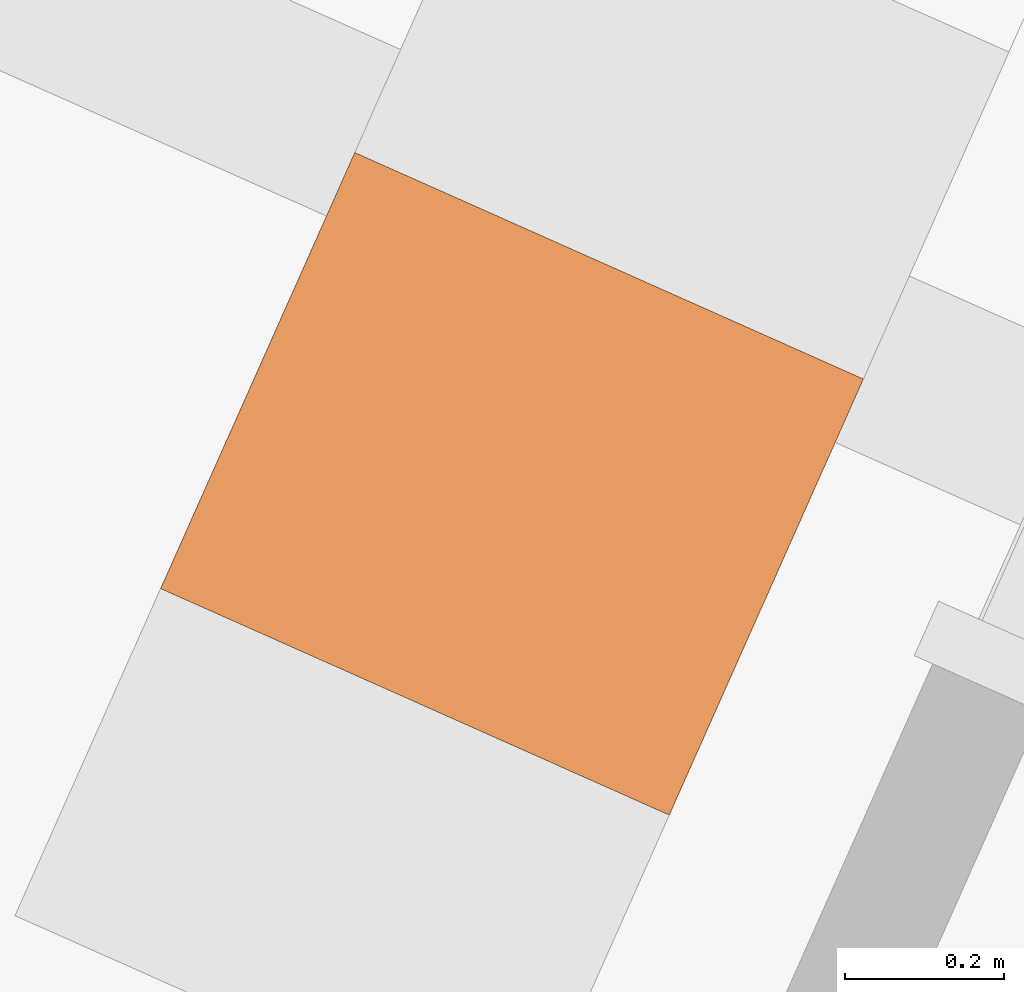
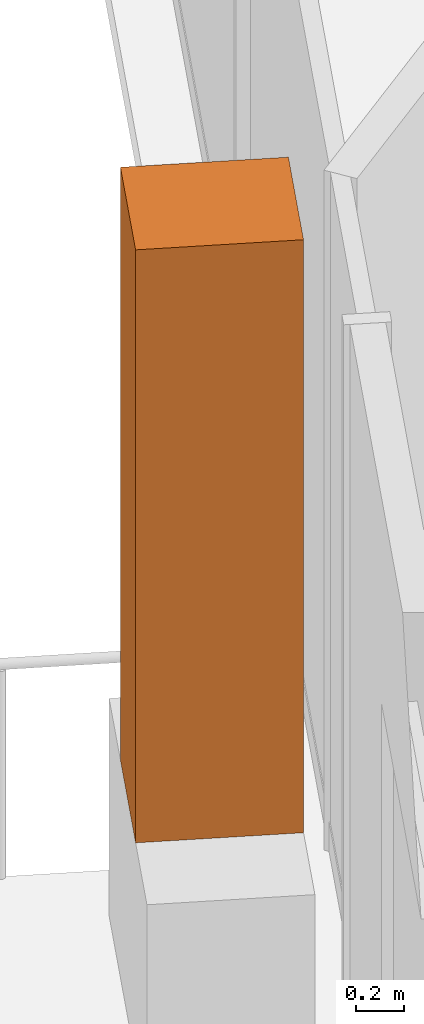
# One storey, part 20 of 20: 1 geographic element.
"""IFC4 building model written with IfcOpenShell, lengths in metres."""

import ifcopenshell
import ifcopenshell.guid

model = None  # the IFC model being written
_history = None  # IfcOwnerHistory: only IFC2X3 demands one
_inside = {}  # id of a spatial element -> (the spatial element, [elements in it])
_under = {}  # id of a project, library or spatial element -> (it, [spatial elements below it])
_declared = {}  # id of a project -> (the project, [libraries it declares])
_typed = {}  # id of a type object -> (the type object, [elements of that type])
_made_of = {}  # id of a material, layer set ... -> (it, [elements and type objects made of it])


def new_model(schema):
    """Start an empty IFC model of exactly this schema.

    Asked for "IFC4X3", IfcOpenShell would pick the latest addendum, in which some entities
    have other attributes; the version numbers below select the first issue.
    IFC2X3 requires an IfcOwnerHistory on every rooted entity: one is made here for all.
    """
    global model, _history
    if schema == "IFC4X3":
        model = ifcopenshell.file(schema_version=(4, 3, 0, 0))
    else:
        model = ifcopenshell.file(schema=schema)
    _inside.clear()
    _under.clear()
    _declared.clear()
    _typed.clear()
    _made_of.clear()
    _history = None
    if model.schema == "IFC2X3":
        org = make("IfcOrganization", Name="unknown")
        user = make(
            "IfcPersonAndOrganization",
            ThePerson=make("IfcPerson", FamilyName="unknown"),
            TheOrganization=org,
        )
        app = make(
            "IfcApplication",
            ApplicationDeveloper=org,
            Version="unknown",
            ApplicationFullName="unknown",
            ApplicationIdentifier="unknown",
        )
        _history = make(
            "IfcOwnerHistory",
            OwningUser=user,
            OwningApplication=app,
            ChangeAction="ADDED",
            CreationDate=0,
        )
    return model


def make(cls, **values):
    """One entity of the class cls with the attributes given. An attribute that is None is left unset."""
    return model.create_entity(
        cls, **{name: value for name, value in values.items() if value is not None}
    )


def rooted(cls, **values):
    """An entity with a GlobalId (a new one), such as an element, a storey or a relation."""
    return make(cls, GlobalId=ifcopenshell.guid.new(), OwnerHistory=_history, **values)


def si_unit(unit_type, name, prefix=None):
    """IfcSIUnit, for example si_unit("LENGTHUNIT", "METRE", prefix="MILLI")."""
    return make("IfcSIUnit", UnitType=unit_type, Prefix=prefix, Name=name)


def assignment(units):
    """IfcUnitAssignment: the units of a project."""
    return None if units is None else make("IfcUnitAssignment", Units=units)


def point(xyz):
    """IfcCartesianPoint."""
    return None if xyz is None else make("IfcCartesianPoint", Coordinates=xyz)


def direction(xyz):
    """IfcDirection."""
    return None if xyz is None else make("IfcDirection", DirectionRatios=xyz)


def frame(location, z_axis=None, x_axis=None):
    """IfcAxis2Placement3D, a coordinate frame: its origin and axes. An axis left out is left unset."""
    return make(
        "IfcAxis2Placement3D",
        Location=point(location),
        Axis=direction(z_axis),
        RefDirection=direction(x_axis),
    )


def frame_2d(location, x_axis=None):
    """IfcAxis2Placement2D, a coordinate frame in the plane: its origin and x axis."""
    return make(
        "IfcAxis2Placement2D", Location=point(location), RefDirection=direction(x_axis)
    )


def origin():
    """The frame at (0, 0, 0) with its axes left unset."""
    return frame((0.0, 0.0, 0.0))


def origin_2d():
    """The frame at (0, 0) in the plane with its x axis left unset."""
    return frame_2d((0.0, 0.0))


def place(relative_to, where):
    """IfcLocalPlacement: puts the frame where relative to a parent placement (None: the world)."""
    return make(
        "IfcLocalPlacement", PlacementRelTo=relative_to, RelativePlacement=where
    )


def context(
    kind, dimensions, precision=None, world=None, true_north=None, identifier=None
):
    """IfcGeometricRepresentationContext, for example the 3D "Model" context."""
    return make(
        "IfcGeometricRepresentationContext",
        ContextIdentifier=identifier,
        ContextType=kind,
        CoordinateSpaceDimension=dimensions,
        Precision=precision,
        WorldCoordinateSystem=world,
        TrueNorth=true_north,
    )


def subcontext(parent, identifier, kind, view, scale=None):
    """IfcGeometricRepresentationSubContext, for example "Body" below "Model"."""
    return make(
        "IfcGeometricRepresentationSubContext",
        ContextIdentifier=identifier,
        ContextType=kind,
        ParentContext=parent,
        TargetScale=scale,
        TargetView=view,
    )


def project(units=None, contexts=None):
    """IfcProject with its units and contexts."""
    return rooted(
        "IfcProject",
        Name="project",
        RepresentationContexts=contexts,
        UnitsInContext=assignment(units),
    )


def spatial(cls, under=None, at=None, **own):
    """A site, building, storey or space (cls), placed at a placement, below another one or the project."""
    s = rooted(cls, ObjectPlacement=at, **own)
    if under is not None:
        _under.setdefault(under.id(), (under, []))[1].append(s)
    return s


def profile(cls, at=None, kind="AREA", **sizes):
    """A parametric profile (cls). Its sizes go by their IFC names, for example OverallWidth=200.0."""
    return make(cls, ProfileType=kind, Position=at, **sizes)


def rectangle(**sizes):
    """IfcRectangleProfileDef."""
    return profile("IfcRectangleProfileDef", **sizes)


def extrude(swept, where, along, depth):
    """IfcExtrudedAreaSolid: the profile swept, set in the frame where, extruded along a direction by depth."""
    return make(
        "IfcExtrudedAreaSolid",
        SweptArea=swept,
        Position=where,
        ExtrudedDirection=direction(along),
        Depth=depth,
    )


def shape(context_of_items, identifier, shape_type, items):
    """IfcShapeRepresentation: the items that make up one representation, for example the "Body"."""
    return make(
        "IfcShapeRepresentation",
        ContextOfItems=context_of_items,
        RepresentationIdentifier=identifier,
        RepresentationType=shape_type,
        Items=items,
    )


def source(mapping_origin, context_of_items, identifier, shape_type, items):
    """IfcRepresentationMap: a shape defined once, which mapped items show again and again."""
    return make(
        "IfcRepresentationMap",
        MappingOrigin=mapping_origin,
        MappedRepresentation=shape(context_of_items, identifier, shape_type, items),
    )


def transform(
    local_origin,
    x_axis=None,
    y_axis=None,
    z_axis=None,
    scale=None,
    scale2=None,
    scale3=None,
    uniform=True,
):
    """IfcCartesianTransformationOperator3D, or its non-uniform kind. x_axis, y_axis, z_axis: its Axis1, 2, 3."""
    if uniform:
        return make(
            "IfcCartesianTransformationOperator3D",
            Axis1=direction(x_axis),
            Axis2=direction(y_axis),
            LocalOrigin=point(local_origin),
            Scale=scale,
            Axis3=direction(z_axis),
        )
    return make(
        "IfcCartesianTransformationOperator3DnonUniform",
        Axis1=direction(x_axis),
        Axis2=direction(y_axis),
        LocalOrigin=point(local_origin),
        Scale=scale,
        Axis3=direction(z_axis),
        Scale2=scale2,
        Scale3=scale3,
    )


def mapped(mapping_source, mapping_target):
    """IfcMappedItem: shows the shape of a source again, moved by a transform."""
    return make(
        "IfcMappedItem", MappingSource=mapping_source, MappingTarget=mapping_target
    )


def material(Name=None, Category=None):
    """IfcMaterial."""
    return make("IfcMaterial", Name=Name, Category=Category)


def made_of(thing, what):
    """Note that an element or type object is made of a material, layer set ...; save() writes the relation."""
    if what is not None:
        _made_of.setdefault(what.id(), (what, []))[1].append(thing)
    return thing


def type_object(cls, material=None, **own):
    """A type object (cls), such as IfcWallType, which elements share."""
    return made_of(rooted(cls, **own), material)


def element(
    cls,
    number,
    at=None,
    inside=None,
    cuts=None,
    type_object=None,
    material=None,
    context=None,
    identifier="Body",
    shape_type=None,
    held_by="IfcProductDefinitionShape",
    body=None,
    shapes=None,
    **own,
):
    """One element of the class cls, such as IfcWall. Its Tag is "e" and its number.

    at: its placement. inside: the storey or other place that contains it. cuts: it is an
    opening in that element (IfcRelVoidsElement). A single representation is given by context,
    identifier, shape_type and body (its items); several are given by shapes. held_by: the class
    of the entity that holds the representations. save() writes the other relations.
    """
    e = rooted(cls, Tag="e%d" % number, ObjectPlacement=at, **own)
    if body is not None:
        shapes = [shape(context, identifier, shape_type, body)]
    if shapes is not None:
        e.Representation = make(held_by, Representations=shapes)
    if inside is not None:
        _inside.setdefault(inside.id(), (inside, []))[1].append(e)
    if cuts is not None:
        rooted(
            "IfcRelVoidsElement", RelatingBuildingElement=cuts, RelatedOpeningElement=e
        )
    if type_object is not None:
        _typed.setdefault(type_object.id(), (type_object, []))[1].append(e)
    return made_of(e, material)


def aggregate(whole, parts):
    """IfcRelAggregates: a whole, such as a stair, and the parts it consists of."""
    return rooted("IfcRelAggregates", RelatingObject=whole, RelatedObjects=parts)


def save(model, path):
    """Write the relations noted so far, then the file.

    IfcRelAggregates (storeys below a building ...), IfcRelContainedInSpatialStructure (elements
    in a storey), IfcRelDefinesByType, IfcRelAssociatesMaterial and IfcRelDeclares: one each for
    every whole, place, type object, material and project.
    """
    for whole, parts in _under.values():
        aggregate(whole, parts)
    for where, things in _inside.values():
        rooted(
            "IfcRelContainedInSpatialStructure",
            RelatedElements=things,
            RelatingStructure=where,
        )
    for kind, things in _typed.values():
        rooted("IfcRelDefinesByType", RelatedObjects=things, RelatingType=kind)
    for what, things in _made_of.values():
        rooted("IfcRelAssociatesMaterial", RelatedObjects=things, RelatingMaterial=what)
    for by, libraries in _declared.values():
        rooted("IfcRelDeclares", RelatingContext=by, RelatedDefinitions=libraries)
    model.write(path)


model = new_model("IFC4")

# Units and contexts
model_context = context("Model", 3, precision=1e-05, world=origin(), true_north=direction((0.0, 1.0)))
body_context = subcontext(model_context, "Body", "Model", "MODEL_VIEW")
ifc_project = project(units=[si_unit("LENGTHUNIT", "METRE"), si_unit("AREAUNIT", "SQUARE_METRE"), si_unit("VOLUMEUNIT", "CUBIC_METRE"), si_unit("PLANEANGLEUNIT", "RADIAN"), si_unit("MASSUNIT", "GRAM", prefix="KILO")], contexts=[model_context])

# Site, building, storey
site_placement = place(None, origin())
site = spatial("IfcSite", under=ifc_project, at=site_placement, CompositionType="ELEMENT")
building_placement = place(site_placement, origin())
building = spatial("IfcBuilding", under=site, at=building_placement, Name="Triune Harvest Tower", CompositionType="ELEMENT")
storey_placement = place(building_placement, frame((0.0, 0.0, 234.10009765625)))
storey = spatial("IfcBuildingStorey", under=building, at=storey_placement, Name="L61", CompositionType="ELEMENT", Elevation=234.10009765625)

# Geographic element
ifc_material = material(Name="TREE-1 tree")
geographic_element_type = type_object("IfcGeographicElementType", Name="TREE-1 tree", PredefinedType="USERDEFINED", material=ifc_material)
shared_shape = source(origin(), body_context, "Body", "SweptSolid", [
    extrude(rectangle(XDim=0.60009765625, YDim=0.699951171875, at=origin_2d()), origin(), (0.0, 0.0, 1.0), 3.0),
])
geographic_element_placement = place(storey_placement, frame((-23.26025390625, -1.465087890625, 1.099853515625), z_axis=(0.0, 0.0, 1.0), x_axis=(-0.406737912248, -0.91354489257, 0.0)))
element("IfcGeographicElement", 1, at=geographic_element_placement, inside=storey, type_object=geographic_element_type, Name="Tree B6-F3 L61.9a", ObjectType="TREE", PredefinedType="USERDEFINED", context=body_context, shape_type="MappedRepresentation", body=[
    mapped(shared_shape, transform((0.0, 0.0, 0.0), scale=1.0)),
])

save(model, "model.ifc")
